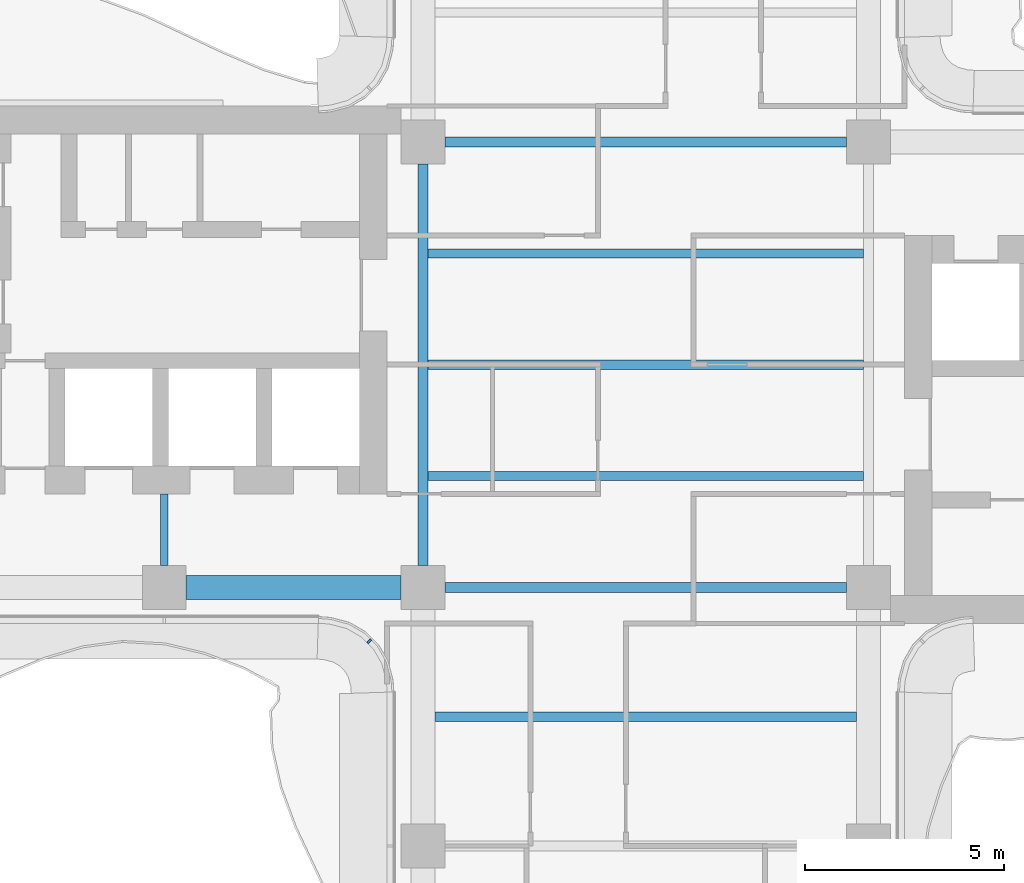
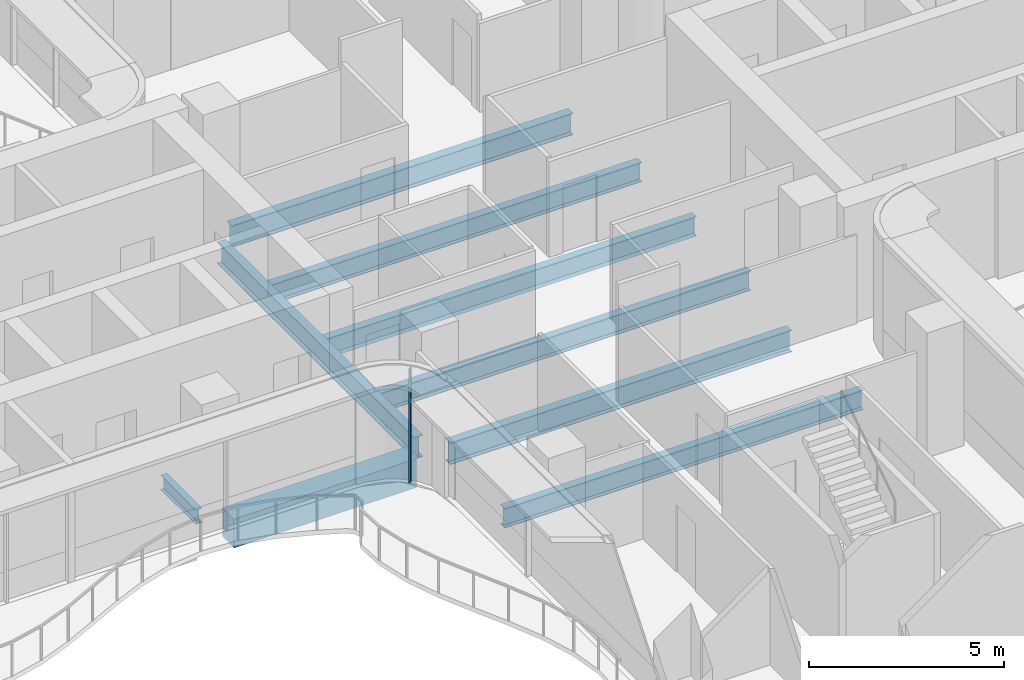
# One storey, part 4 of 17: 9 beams, 1 member, 1 element without a shape of its own.
"""IFC4 building model written with IfcOpenShell, lengths in metres."""

from ifc_helpers import new_model, si_unit, direction, frame, origin, origin_2d, place, context, subcontext, project, spatial, rectangle, i_section, extrude, source, transform, mapped, material, layer, layer_set, material_profile, profile_set, type_object, element, aggregate, save


model = new_model("IFC4")

# Units and contexts
model_context = context("Model", 3, precision=1e-05, world=origin(), true_north=direction((0.0, 1.0)))
body_context = subcontext(model_context, "Body", "Model", "MODEL_VIEW")
ifc_project = project(units=[si_unit("LENGTHUNIT", "METRE"), si_unit("AREAUNIT", "SQUARE_METRE"), si_unit("VOLUMEUNIT", "CUBIC_METRE"), si_unit("PLANEANGLEUNIT", "RADIAN"), si_unit("MASSUNIT", "GRAM", prefix="KILO")], contexts=[model_context])

# Site, building, storey
site_placement = place(None, origin())
site = spatial("IfcSite", under=ifc_project, at=site_placement, CompositionType="ELEMENT")
building_placement = place(site_placement, origin())
building = spatial("IfcBuilding", under=site, at=building_placement, Name="Trellis Farm Tower", CompositionType="ELEMENT")
storey_placement = place(building_placement, frame((0.0, 0.0, 232.39990234375)))
storey = spatial("IfcBuildingStorey", under=building, at=storey_placement, Name="L51", CompositionType="ELEMENT", Elevation=232.39990234375)

# Beams
ifc_material_1 = material(Name="Steel S355", Category="steel")
ifc_material_profile_1 = material_profile(ifc_material_1, i_section(OverallWidth=0.22900390625, OverallDepth=0.6123046875, WebThickness=0.011962890625, FlangeThickness=0.01953125, FilletRadius=0.0126953125, at=origin_2d()), Name="UB 610x229x125")
ifc_profile_set_1 = profile_set([ifc_material_profile_1], Name="Steel S355")
beam_type_1 = type_object("IfcBeamType", Name="UB 610x229x125 joist", PredefinedType="JOIST", material=ifc_profile_set_1)
shared_shape_1 = source(origin(), body_context, "Body", "SweptSolid", [
    extrude(i_section(OverallWidth=0.22900390625, OverallDepth=0.6123046875, WebThickness=0.011962890625, FlangeThickness=0.01953125, FilletRadius=0.0126953125, at=origin_2d()), origin(), (0.0, 0.0, 1.0), 10.9462890625),
])
for number, where, z_axis, x_axis, name in (
    (1, (-5.47314453125, -2.800048828125, -0.506103515625), (1.0, 0.0, 0.0), (0.0, 1.0, 0.0), "Floor beam"),
    (2, (-5.47314453125, 0.0, -0.506103515625), (1.0, 0.0, 0.0), (0.0, 1.0, 0.0), "Floor beam"),
    (3, (-5.47314453125, 2.800048828125, -0.506103515625), (1.0, 0.0, 0.0), (0.0, 1.0, 0.0), "Floor beam"),
):
    element("IfcBeam", number, at=place(storey_placement, frame(where, z_axis=z_axis, x_axis=x_axis)), inside=storey, type_object=beam_type_1, Name=name, PredefinedType="JOIST", context=body_context, shape_type="MappedRepresentation", body=[
        mapped(shared_shape_1, transform((0.0, 0.0, 0.0))),
    ])
shared_shape_2 = source(origin(), body_context, "Body", "SweptSolid", [
    extrude(i_section(OverallWidth=0.22900390625, OverallDepth=0.6123046875, WebThickness=0.011962890625, FlangeThickness=0.01953125, FilletRadius=0.0126953125, at=origin_2d()), origin(), (0.0, 0.0, 1.0), 10.60009765625),
])
beam_1_placement = place(storey_placement, frame((-5.300048828125, -8.85009765625, -0.506103515625), z_axis=(1.0, 0.0, 0.0), x_axis=(0.0, 1.0, 0.0)))
element("IfcBeam", 4, at=beam_1_placement, inside=storey, type_object=beam_type_1, Name="Floor beam", PredefinedType="JOIST", context=body_context, shape_type="MappedRepresentation", body=[
    mapped(shared_shape_2, transform((0.0, 0.0, 0.0))),
])
ifc_material_profile_2 = material_profile(ifc_material_1, i_section(OverallWidth=0.253662109375, OverallDepth=0.68359375, WebThickness=0.012451171875, FlangeThickness=0.021728515625, FilletRadius=0.01513671875, at=origin_2d()), Name="UB 686x254x140")
ifc_profile_set_2 = profile_set([ifc_material_profile_2], Name="Steel S355")
beam_type_2 = type_object("IfcBeamType", Name="UB 686x254x140", PredefinedType="BEAM", material=ifc_profile_set_2)
shared_shape_3 = source(origin(), body_context, "Body", "SweptSolid", [
    extrude(i_section(OverallWidth=0.253662109375, OverallDepth=0.68359375, WebThickness=0.012451171875, FlangeThickness=0.021728515625, FilletRadius=0.01513671875, at=origin_2d()), origin(), (0.0, 0.0, 1.0), 10.10009765625),
])
for number, where, z_axis, x_axis, name in (
    (5, (-5.050048828125, -5.60009765625, -0.54150390625), (1.0, 0.0, 0.0), (0.0, 1.0, 0.0), "Girder"),
    (6, (-5.050048828125, 5.60009765625, -0.54150390625), (1.0, 0.0, 0.0), (0.0, 1.0, 0.0), "Girder"),
    (7, (-5.60009765625, -5.050048828125, -0.54150390625), (0.0, 1.0, 0.0), (-1.0, 0.0, 0.0), "Girder"),
):
    element("IfcBeam", number, at=place(storey_placement, frame(where, z_axis=z_axis, x_axis=x_axis)), inside=storey, type_object=beam_type_2, Name=name, PredefinedType="BEAM", context=body_context, shape_type="MappedRepresentation", body=[
        mapped(shared_shape_3, transform((0.0, 0.0, 0.0))),
    ])
ifc_material_profile_3 = material_profile(ifc_material_1, i_section(OverallWidth=0.1904296875, OverallDepth=0.45703125, WebThickness=0.009033203125, FlangeThickness=0.014404296875, FilletRadius=0.01025390625, at=origin_2d()), Name="UB 457x191x74")
ifc_profile_set_3 = profile_set([ifc_material_profile_3], Name="Steel S355")
beam_type_3 = type_object("IfcBeamType", Name="UB 457x191x74", PredefinedType="BEAM", material=ifc_profile_set_3)
shared_shape_4 = source(origin(), body_context, "Body", "SweptSolid", [
    extrude(i_section(OverallWidth=0.1904296875, OverallDepth=0.45703125, WebThickness=0.009033203125, FlangeThickness=0.014404296875, FilletRadius=0.01025390625, at=origin_2d()), origin(), (0.0, 0.0, 1.0), 1.800048828125),
])
beam_2_placement = place(storey_placement, frame((-12.10009765625, -5.050048828125, -0.428466796875), z_axis=(0.0, 1.0, 0.0), x_axis=(-1.0, 0.0, 0.0)))
element("IfcBeam", 8, at=beam_2_placement, inside=storey, type_object=beam_type_3, Name="Girder", PredefinedType="BEAM", context=body_context, shape_type="MappedRepresentation", body=[
    mapped(shared_shape_4, transform((0.0, 0.0, 0.0))),
])
ifc_material_2 = material(Name="Concrete C60/75", Category="concrete")
ifc_material_profile_4 = material_profile(ifc_material_2, rectangle(XDim=0.60009765625, YDim=0.89990234375, at=origin_2d()), Name="RC spandrel beam 600x900 C60/75")
ifc_profile_set_4 = profile_set([ifc_material_profile_4], Name="Concrete C60/75")
beam_type_4 = type_object("IfcBeamType", Name="RC spandrel beam 600x900 C60/75", PredefinedType="SPANDREL", material=ifc_profile_set_4)
shared_shape_5 = source(origin(), body_context, "Body", "SweptSolid", [
    extrude(rectangle(XDim=0.60009765625, YDim=0.89990234375, at=origin_2d()), origin(), (0.0, 0.0, 1.0), 5.400146484375),
])
beam_3_placement = place(storey_placement, frame((-11.550048828125, -5.60009765625, -0.64990234375), z_axis=(1.0, 0.0, 0.0), x_axis=(0.0, 1.0, 0.0)))
element("IfcBeam", 9, at=beam_3_placement, inside=storey, type_object=beam_type_4, Name="Girder", PredefinedType="SPANDREL", context=body_context, shape_type="MappedRepresentation", body=[
    mapped(shared_shape_5, transform((0.0, 0.0, 0.0))),
])

# Curtain wall, member
ifc_material_3 = material(Name="Aluminium and glass curtain wall", Category="aluminium")
ifc_layer = layer(ifc_material_3, 0.166015625)
ifc_layer_set = layer_set([ifc_layer], Name="WINTER GARDEN CURTAIN WALL CW3")
curtain_wall_type = type_object("IfcCurtainWallType", Name="WINTER GARDEN CURTAIN WALL CW3", PredefinedType="NOTDEFINED", material=ifc_layer_set)
curtain_wall_placement = place(storey_placement, origin())
curtain_wall = element("IfcCurtainWall", 10, at=curtain_wall_placement, inside=storey, type_object=curtain_wall_type, Name="CW3 001", PredefinedType="NOTDEFINED")
ifc_material_4 = material(Name="Aluminium extrusion 6063-T6", Category="aluminium")
ifc_material_profile_5 = material_profile(ifc_material_4, rectangle(XDim=0.050048828125, YDim=0.1201171875, at=origin_2d()), Name="MULLION 50x120")
ifc_profile_set_5 = profile_set([ifc_material_profile_5], Name="Aluminium extrusion 6063-T6")
member_type = type_object("IfcMemberType", Name="CW3 MULLION 50x120", PredefinedType="MULLION", material=ifc_profile_set_5)
shared_shape_6 = source(origin(), body_context, "Body", "SweptSolid", [
    extrude(rectangle(XDim=0.050048828125, YDim=0.1201171875, at=origin_2d()), origin(), (0.0, 0.0, 1.0), 3.550048828125),
])
member_placement = place(storey_placement, frame((-6.953125, -6.953125, 0.0), z_axis=(0.0, 0.0, 1.0), x_axis=(0.707106781187, -0.707106781187, 0.0)))
member = element("IfcMember", 11, at=member_placement, type_object=member_type, Name="MU3 001-01", PredefinedType="MULLION", context=body_context, shape_type="MappedRepresentation", body=[
    mapped(shared_shape_6, transform((0.0, 0.0, 0.0))),
])
aggregate(curtain_wall, [member])

save(model, "model.ifc")
